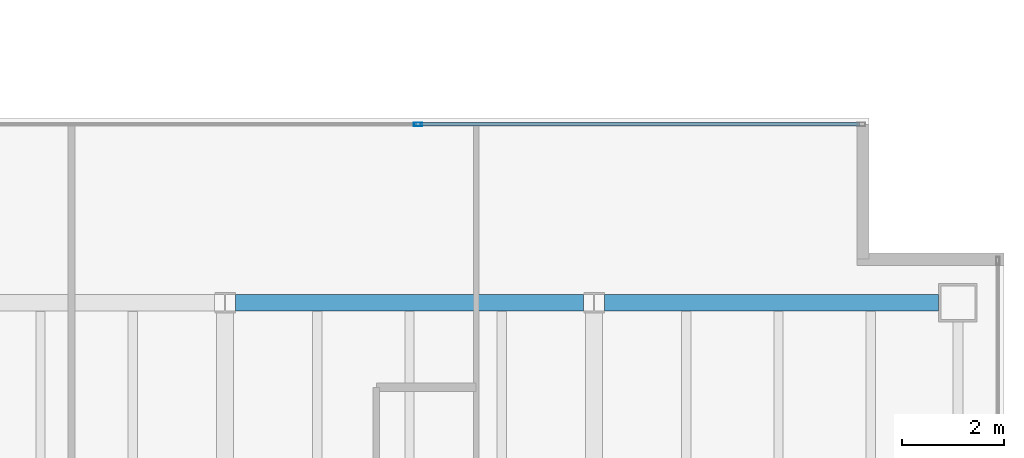
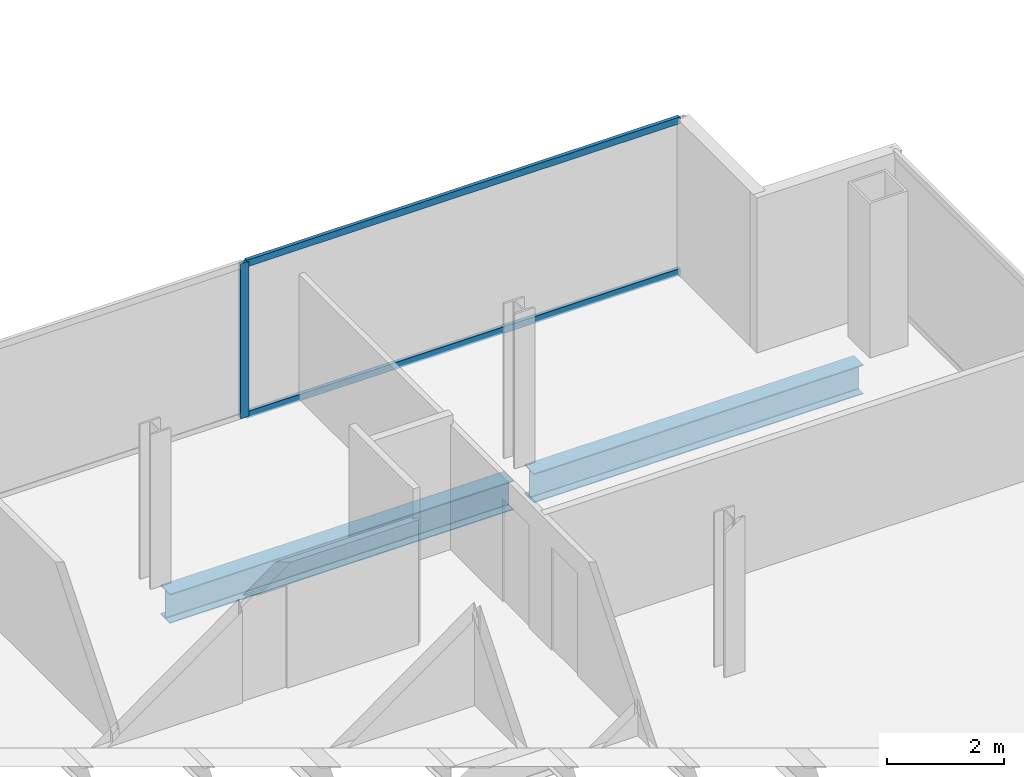
# One storey, part 15 of 23: 3 members, 2 beams, 1 element without a shape of its own.
"""IFC4 building model written with IfcOpenShell, lengths in metres."""

import ifcopenshell
import ifcopenshell.guid

model = None  # the IFC model being written
_history = None  # IfcOwnerHistory: only IFC2X3 demands one
_inside = {}  # id of a spatial element -> (the spatial element, [elements in it])
_under = {}  # id of a project, library or spatial element -> (it, [spatial elements below it])
_declared = {}  # id of a project -> (the project, [libraries it declares])
_typed = {}  # id of a type object -> (the type object, [elements of that type])
_made_of = {}  # id of a material, layer set ... -> (it, [elements and type objects made of it])


def new_model(schema):
    """Start an empty IFC model of exactly this schema.

    Asked for "IFC4X3", IfcOpenShell would pick the latest addendum, in which some entities
    have other attributes; the version numbers below select the first issue.
    IFC2X3 requires an IfcOwnerHistory on every rooted entity: one is made here for all.
    """
    global model, _history
    if schema == "IFC4X3":
        model = ifcopenshell.file(schema_version=(4, 3, 0, 0))
    else:
        model = ifcopenshell.file(schema=schema)
    _inside.clear()
    _under.clear()
    _declared.clear()
    _typed.clear()
    _made_of.clear()
    _history = None
    if model.schema == "IFC2X3":
        org = make("IfcOrganization", Name="unknown")
        user = make(
            "IfcPersonAndOrganization",
            ThePerson=make("IfcPerson", FamilyName="unknown"),
            TheOrganization=org,
        )
        app = make(
            "IfcApplication",
            ApplicationDeveloper=org,
            Version="unknown",
            ApplicationFullName="unknown",
            ApplicationIdentifier="unknown",
        )
        _history = make(
            "IfcOwnerHistory",
            OwningUser=user,
            OwningApplication=app,
            ChangeAction="ADDED",
            CreationDate=0,
        )
    return model


def make(cls, **values):
    """One entity of the class cls with the attributes given. An attribute that is None is left unset."""
    return model.create_entity(
        cls, **{name: value for name, value in values.items() if value is not None}
    )


def rooted(cls, **values):
    """An entity with a GlobalId (a new one), such as an element, a storey or a relation."""
    return make(cls, GlobalId=ifcopenshell.guid.new(), OwnerHistory=_history, **values)


def si_unit(unit_type, name, prefix=None):
    """IfcSIUnit, for example si_unit("LENGTHUNIT", "METRE", prefix="MILLI")."""
    return make("IfcSIUnit", UnitType=unit_type, Prefix=prefix, Name=name)


def assignment(units):
    """IfcUnitAssignment: the units of a project."""
    return None if units is None else make("IfcUnitAssignment", Units=units)


def point(xyz):
    """IfcCartesianPoint."""
    return None if xyz is None else make("IfcCartesianPoint", Coordinates=xyz)


def direction(xyz):
    """IfcDirection."""
    return None if xyz is None else make("IfcDirection", DirectionRatios=xyz)


def frame(location, z_axis=None, x_axis=None):
    """IfcAxis2Placement3D, a coordinate frame: its origin and axes. An axis left out is left unset."""
    return make(
        "IfcAxis2Placement3D",
        Location=point(location),
        Axis=direction(z_axis),
        RefDirection=direction(x_axis),
    )


def frame_2d(location, x_axis=None):
    """IfcAxis2Placement2D, a coordinate frame in the plane: its origin and x axis."""
    return make(
        "IfcAxis2Placement2D", Location=point(location), RefDirection=direction(x_axis)
    )


def origin():
    """The frame at (0, 0, 0) with its axes left unset."""
    return frame((0.0, 0.0, 0.0))


def origin_2d():
    """The frame at (0, 0) in the plane with its x axis left unset."""
    return frame_2d((0.0, 0.0))


def place(relative_to, where):
    """IfcLocalPlacement: puts the frame where relative to a parent placement (None: the world)."""
    return make(
        "IfcLocalPlacement", PlacementRelTo=relative_to, RelativePlacement=where
    )


def context(
    kind, dimensions, precision=None, world=None, true_north=None, identifier=None
):
    """IfcGeometricRepresentationContext, for example the 3D "Model" context."""
    return make(
        "IfcGeometricRepresentationContext",
        ContextIdentifier=identifier,
        ContextType=kind,
        CoordinateSpaceDimension=dimensions,
        Precision=precision,
        WorldCoordinateSystem=world,
        TrueNorth=true_north,
    )


def subcontext(parent, identifier, kind, view, scale=None):
    """IfcGeometricRepresentationSubContext, for example "Body" below "Model"."""
    return make(
        "IfcGeometricRepresentationSubContext",
        ContextIdentifier=identifier,
        ContextType=kind,
        ParentContext=parent,
        TargetScale=scale,
        TargetView=view,
    )


def project(units=None, contexts=None):
    """IfcProject with its units and contexts."""
    return rooted(
        "IfcProject",
        Name="project",
        RepresentationContexts=contexts,
        UnitsInContext=assignment(units),
    )


def spatial(cls, under=None, at=None, **own):
    """A site, building, storey or space (cls), placed at a placement, below another one or the project."""
    s = rooted(cls, ObjectPlacement=at, **own)
    if under is not None:
        _under.setdefault(under.id(), (under, []))[1].append(s)
    return s


def profile(cls, at=None, kind="AREA", **sizes):
    """A parametric profile (cls). Its sizes go by their IFC names, for example OverallWidth=200.0."""
    return make(cls, ProfileType=kind, Position=at, **sizes)


def hollow_rectangle(**sizes):
    """IfcRectangleHollowProfileDef."""
    return profile("IfcRectangleHollowProfileDef", **sizes)


def i_section(**sizes):
    """IfcIShapeProfileDef."""
    return profile("IfcIShapeProfileDef", **sizes)


def extrude(swept, where, along, depth):
    """IfcExtrudedAreaSolid: the profile swept, set in the frame where, extruded along a direction by depth."""
    return make(
        "IfcExtrudedAreaSolid",
        SweptArea=swept,
        Position=where,
        ExtrudedDirection=direction(along),
        Depth=depth,
    )


def shape(context_of_items, identifier, shape_type, items):
    """IfcShapeRepresentation: the items that make up one representation, for example the "Body"."""
    return make(
        "IfcShapeRepresentation",
        ContextOfItems=context_of_items,
        RepresentationIdentifier=identifier,
        RepresentationType=shape_type,
        Items=items,
    )


def material(Name=None, Category=None):
    """IfcMaterial."""
    return make("IfcMaterial", Name=Name, Category=Category)


def material_profile(
    of_material, cross_section, Name=None, Category=None, Priority=None
):
    """IfcMaterialProfile: a cross section and its material."""
    return make(
        "IfcMaterialProfile",
        Name=Name,
        Material=of_material,
        Profile=cross_section,
        Priority=Priority,
        Category=Category,
    )


def profile_set(profiles, Name=None, composite=None):
    """IfcMaterialProfileSet."""
    return make(
        "IfcMaterialProfileSet",
        Name=Name,
        MaterialProfiles=profiles,
        CompositeProfile=composite,
    )


def made_of(thing, what):
    """Note that an element or type object is made of a material, layer set ...; save() writes the relation."""
    if what is not None:
        _made_of.setdefault(what.id(), (what, []))[1].append(thing)
    return thing


def type_object(cls, material=None, **own):
    """A type object (cls), such as IfcWallType, which elements share."""
    return made_of(rooted(cls, **own), material)


def element(
    cls,
    number,
    at=None,
    inside=None,
    cuts=None,
    type_object=None,
    material=None,
    context=None,
    identifier="Body",
    shape_type=None,
    held_by="IfcProductDefinitionShape",
    body=None,
    shapes=None,
    **own,
):
    """One element of the class cls, such as IfcWall. Its Tag is "e" and its number.

    at: its placement. inside: the storey or other place that contains it. cuts: it is an
    opening in that element (IfcRelVoidsElement). A single representation is given by context,
    identifier, shape_type and body (its items); several are given by shapes. held_by: the class
    of the entity that holds the representations. save() writes the other relations.
    """
    e = rooted(cls, Tag="e%d" % number, ObjectPlacement=at, **own)
    if body is not None:
        shapes = [shape(context, identifier, shape_type, body)]
    if shapes is not None:
        e.Representation = make(held_by, Representations=shapes)
    if inside is not None:
        _inside.setdefault(inside.id(), (inside, []))[1].append(e)
    if cuts is not None:
        rooted(
            "IfcRelVoidsElement", RelatingBuildingElement=cuts, RelatedOpeningElement=e
        )
    if type_object is not None:
        _typed.setdefault(type_object.id(), (type_object, []))[1].append(e)
    return made_of(e, material)


def aggregate(whole, parts):
    """IfcRelAggregates: a whole, such as a stair, and the parts it consists of."""
    return rooted("IfcRelAggregates", RelatingObject=whole, RelatedObjects=parts)


def save(model, path):
    """Write the relations noted so far, then the file.

    IfcRelAggregates (storeys below a building ...), IfcRelContainedInSpatialStructure (elements
    in a storey), IfcRelDefinesByType, IfcRelAssociatesMaterial and IfcRelDeclares: one each for
    every whole, place, type object, material and project.
    """
    for whole, parts in _under.values():
        aggregate(whole, parts)
    for where, things in _inside.values():
        rooted(
            "IfcRelContainedInSpatialStructure",
            RelatedElements=things,
            RelatingStructure=where,
        )
    for kind, things in _typed.values():
        rooted("IfcRelDefinesByType", RelatedObjects=things, RelatingType=kind)
    for what, things in _made_of.values():
        rooted("IfcRelAssociatesMaterial", RelatedObjects=things, RelatingMaterial=what)
    for by, libraries in _declared.values():
        rooted("IfcRelDeclares", RelatingContext=by, RelatedDefinitions=libraries)
    model.write(path)


model = new_model("IFC4")

# Units and contexts
model_context = context("Model", 3, precision=1e-05, world=origin(), true_north=direction((0.0, 1.0)))
body_context = subcontext(model_context, "Body", "Model", "MODEL_VIEW")
ifc_project = project(units=[si_unit("LENGTHUNIT", "METRE"), si_unit("AREAUNIT", "SQUARE_METRE"), si_unit("VOLUMEUNIT", "CUBIC_METRE"), si_unit("PLANEANGLEUNIT", "RADIAN"), si_unit("MASSUNIT", "GRAM", prefix="KILO")], contexts=[model_context])

# Site, building, storey
site_placement = place(None, origin())
site = spatial("IfcSite", under=ifc_project, at=site_placement, CompositionType="ELEMENT")
building_placement = place(site_placement, origin())
building = spatial("IfcBuilding", under=site, at=building_placement, Name="Cobrela Telecom Tower", CompositionType="ELEMENT")
storey_placement = place(building_placement, frame((0.0, 0.0, 211.75)))
storey = spatial("IfcBuildingStorey", under=building, at=storey_placement, Name="L54", CompositionType="ELEMENT", Elevation=211.75)

# Beams
ifc_material_1 = material(Name="Steel ASTM A992 Grade 50", Category="steel")
ifc_material_profile_1 = material_profile(ifc_material_1, i_section(OverallWidth=0.324951171875, OverallDepth=0.612060546875, WebThickness=0.0126953125, FlangeThickness=0.01904296875, FilletRadius=0.014892578125, at=origin_2d()), Name="W24X104")
ifc_profile_set_1 = profile_set([ifc_material_profile_1], Name="Steel ASTM A992 Grade 50")
beam_type = type_object("IfcBeamType", Name="BM-GIRD-07", PredefinedType="USERDEFINED", material=ifc_profile_set_1)
beam_1_placement = place(storey_placement, frame((29.00439453125, 21.60009765625, -0.56591796875), z_axis=(1.0, 0.0, 0.0), x_axis=(0.0, 1.0, 0.0)))
element("IfcBeam", 1, at=beam_1_placement, inside=storey, type_object=beam_type, Name="L54 Primary Girder X17", ObjectType="GIRDER", PredefinedType="USERDEFINED", context=body_context, shape_type="SweptSolid", body=[
    extrude(i_section(OverallWidth=0.324951171875, OverallDepth=0.612060546875, WebThickness=0.0126953125, FlangeThickness=0.01904296875, FilletRadius=0.014892578125, at=origin_2d()), origin(), (0.0, 0.0, 1.0), 6.791015625),
])
beam_2_placement = place(storey_placement, frame((36.20458984375, 21.60009765625, -0.56591796875), z_axis=(1.0, 0.0, 0.0), x_axis=(0.0, 1.0, 0.0)))
element("IfcBeam", 2, at=beam_2_placement, inside=storey, type_object=beam_type, Name="L54 Primary Girder X18", ObjectType="GIRDER", PredefinedType="USERDEFINED", context=body_context, shape_type="SweptSolid", body=[
    extrude(i_section(OverallWidth=0.324951171875, OverallDepth=0.612060546875, WebThickness=0.0126953125, FlangeThickness=0.01904296875, FilletRadius=0.014892578125, at=origin_2d()), origin(), (0.0, 0.0, 1.0), 6.515380859375),
])

# Curtain wall, members
ifc_material_2 = material(Name="Anodized Bronze Aluminium 6063-T6", Category="aluminium")
curtain_wall_type = type_object("IfcCurtainWallType", Name="CW-SYS-OFF-LO", PredefinedType="USERDEFINED", material=ifc_material_2)
curtain_wall_placement = place(storey_placement, origin())
curtain_wall = element("IfcCurtainWall", 3, at=curtain_wall_placement, inside=storey, type_object=curtain_wall_type, Name="L54 Unitised Bronze Curtain Wall 11", ObjectType="UNITISED CURTAIN WALL", PredefinedType="USERDEFINED")
ifc_material_profile_2 = material_profile(ifc_material_2, hollow_rectangle(XDim=0.070068359375, YDim=0.159912109375, WallThickness=0.00390625, at=origin_2d()), Name="ALU 70x160x4")
ifc_profile_set_2 = profile_set([ifc_material_profile_2], Name="Anodized Bronze Aluminium 6063-T6")
member_type_1 = type_object("IfcMemberType", Name="CW-SYS-OFF-LO-MUL", PredefinedType="MULLION", material=ifc_profile_set_2)
member_1_placement = place(storey_placement, frame((32.56494140625, 25.080078125, 0.0), z_axis=(0.0, 0.0, 1.0), x_axis=(0.0, 1.0, 0.0)))
member_1 = element("IfcMember", 4, at=member_1_placement, type_object=member_type_1, Name="CW-OFF-LO mullion 2", PredefinedType="MULLION", context=body_context, shape_type="SweptSolid", body=[
    extrude(hollow_rectangle(XDim=0.070068359375, YDim=0.159912109375, WallThickness=0.00390625, at=origin_2d()), origin(), (0.0, 0.0, 1.0), 3.239990234375),
])
ifc_material_profile_3 = material_profile(ifc_material_2, hollow_rectangle(XDim=0.070068359375, YDim=0.139892578125, WallThickness=0.00390625, at=origin_2d()), Name="ALU 70x140x4")
ifc_profile_set_3 = profile_set([ifc_material_profile_3], Name="Anodized Bronze Aluminium 6063-T6")
member_type_2 = type_object("IfcMemberType", Name="CW-SYS-OFF-LO-TRN", PredefinedType="USERDEFINED", material=ifc_profile_set_3)
member_2_placement = place(storey_placement, frame((32.60009765625, 25.080078125, 0.034912109375), z_axis=(1.0, 0.0, 0.0), x_axis=(0.0, 1.0, 0.0)))
member_2 = element("IfcMember", 5, at=member_2_placement, type_object=member_type_2, Name="CW-OFF-LO transom 2.1", ObjectType="TRANSOM", PredefinedType="USERDEFINED", context=body_context, shape_type="SweptSolid", body=[
    extrude(hollow_rectangle(XDim=0.070068359375, YDim=0.139892578125, WallThickness=0.00390625, at=origin_2d()), origin(), (0.0, 0.0, 1.0), 8.579833984375),
])
member_3_placement = place(storey_placement, frame((32.60009765625, 25.080078125, 3.205078125), z_axis=(1.0, 0.0, 0.0), x_axis=(0.0, 1.0, 0.0)))
member_3 = element("IfcMember", 6, at=member_3_placement, type_object=member_type_2, Name="CW-OFF-LO transom 2.2", ObjectType="TRANSOM", PredefinedType="USERDEFINED", context=body_context, shape_type="SweptSolid", body=[
    extrude(hollow_rectangle(XDim=0.070068359375, YDim=0.139892578125, WallThickness=0.00390625, at=origin_2d()), origin(), (0.0, 0.0, 1.0), 8.579833984375),
])
aggregate(curtain_wall, [member_1, member_2, member_3])

save(model, "model.ifc")
